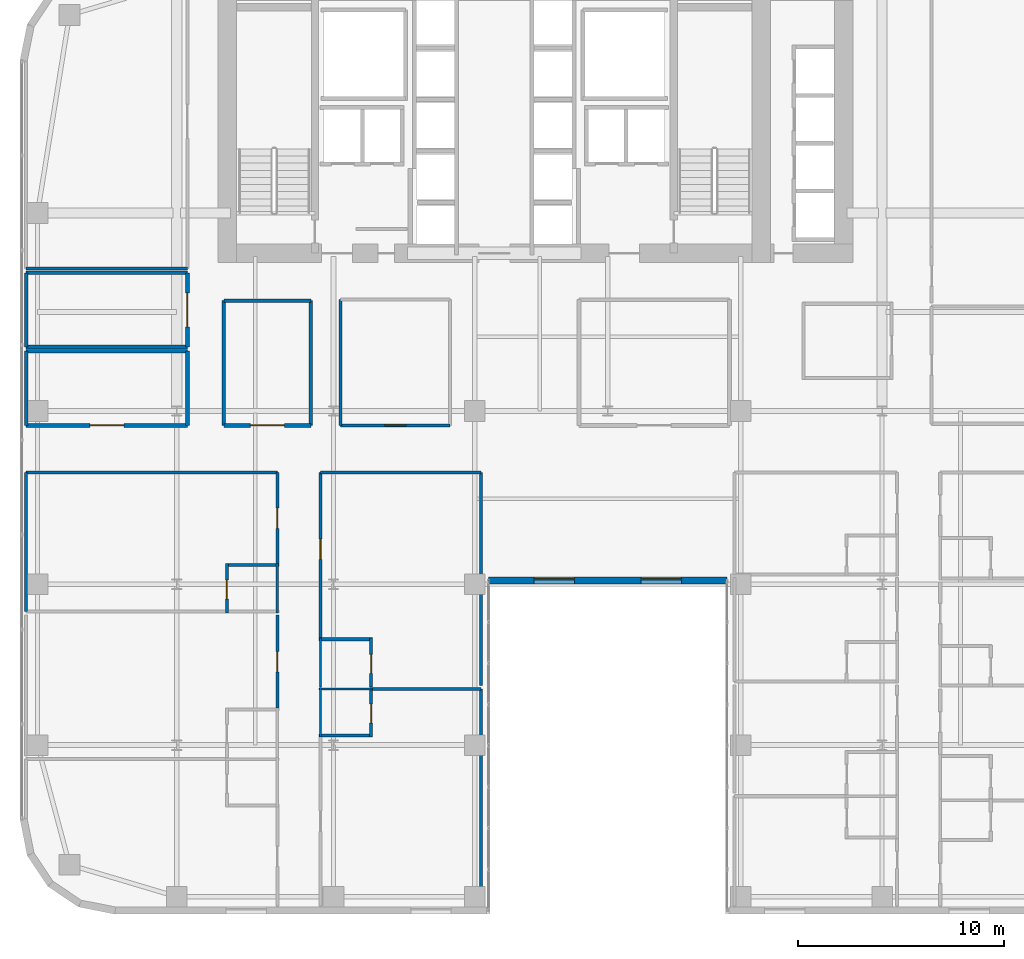
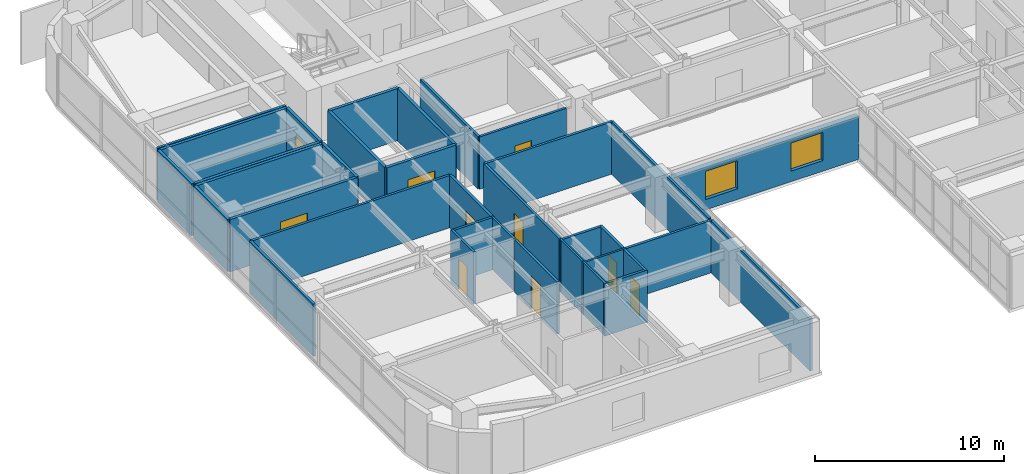
# One storey, part 24 of 30: 35 walls, 10 doors, 2 windows, 12 openings.
"""IFC4 building model written with IfcOpenShell, lengths in metres."""

import ifcopenshell
import ifcopenshell.guid

model = None  # the IFC model being written
_history = None  # IfcOwnerHistory: only IFC2X3 demands one
_inside = {}  # id of a spatial element -> (the spatial element, [elements in it])
_under = {}  # id of a project, library or spatial element -> (it, [spatial elements below it])
_declared = {}  # id of a project -> (the project, [libraries it declares])
_typed = {}  # id of a type object -> (the type object, [elements of that type])
_made_of = {}  # id of a material, layer set ... -> (it, [elements and type objects made of it])


def new_model(schema):
    """Start an empty IFC model of exactly this schema.

    Asked for "IFC4X3", IfcOpenShell would pick the latest addendum, in which some entities
    have other attributes; the version numbers below select the first issue.
    IFC2X3 requires an IfcOwnerHistory on every rooted entity: one is made here for all.
    """
    global model, _history
    if schema == "IFC4X3":
        model = ifcopenshell.file(schema_version=(4, 3, 0, 0))
    else:
        model = ifcopenshell.file(schema=schema)
    _inside.clear()
    _under.clear()
    _declared.clear()
    _typed.clear()
    _made_of.clear()
    _history = None
    if model.schema == "IFC2X3":
        org = make("IfcOrganization", Name="unknown")
        user = make(
            "IfcPersonAndOrganization",
            ThePerson=make("IfcPerson", FamilyName="unknown"),
            TheOrganization=org,
        )
        app = make(
            "IfcApplication",
            ApplicationDeveloper=org,
            Version="unknown",
            ApplicationFullName="unknown",
            ApplicationIdentifier="unknown",
        )
        _history = make(
            "IfcOwnerHistory",
            OwningUser=user,
            OwningApplication=app,
            ChangeAction="ADDED",
            CreationDate=0,
        )
    return model


def make(cls, **values):
    """One entity of the class cls with the attributes given. An attribute that is None is left unset."""
    return model.create_entity(
        cls, **{name: value for name, value in values.items() if value is not None}
    )


def rooted(cls, **values):
    """An entity with a GlobalId (a new one), such as an element, a storey or a relation."""
    return make(cls, GlobalId=ifcopenshell.guid.new(), OwnerHistory=_history, **values)


def si_unit(unit_type, name, prefix=None):
    """IfcSIUnit, for example si_unit("LENGTHUNIT", "METRE", prefix="MILLI")."""
    return make("IfcSIUnit", UnitType=unit_type, Prefix=prefix, Name=name)


def assignment(units):
    """IfcUnitAssignment: the units of a project."""
    return None if units is None else make("IfcUnitAssignment", Units=units)


def point(xyz):
    """IfcCartesianPoint."""
    return None if xyz is None else make("IfcCartesianPoint", Coordinates=xyz)


def direction(xyz):
    """IfcDirection."""
    return None if xyz is None else make("IfcDirection", DirectionRatios=xyz)


def frame(location, z_axis=None, x_axis=None):
    """IfcAxis2Placement3D, a coordinate frame: its origin and axes. An axis left out is left unset."""
    return make(
        "IfcAxis2Placement3D",
        Location=point(location),
        Axis=direction(z_axis),
        RefDirection=direction(x_axis),
    )


def frame_2d(location, x_axis=None):
    """IfcAxis2Placement2D, a coordinate frame in the plane: its origin and x axis."""
    return make(
        "IfcAxis2Placement2D", Location=point(location), RefDirection=direction(x_axis)
    )


def origin():
    """The frame at (0, 0, 0) with its axes left unset."""
    return frame((0.0, 0.0, 0.0))


def place(relative_to, where):
    """IfcLocalPlacement: puts the frame where relative to a parent placement (None: the world)."""
    return make(
        "IfcLocalPlacement", PlacementRelTo=relative_to, RelativePlacement=where
    )


def context(
    kind, dimensions, precision=None, world=None, true_north=None, identifier=None
):
    """IfcGeometricRepresentationContext, for example the 3D "Model" context."""
    return make(
        "IfcGeometricRepresentationContext",
        ContextIdentifier=identifier,
        ContextType=kind,
        CoordinateSpaceDimension=dimensions,
        Precision=precision,
        WorldCoordinateSystem=world,
        TrueNorth=true_north,
    )


def subcontext(parent, identifier, kind, view, scale=None):
    """IfcGeometricRepresentationSubContext, for example "Body" below "Model"."""
    return make(
        "IfcGeometricRepresentationSubContext",
        ContextIdentifier=identifier,
        ContextType=kind,
        ParentContext=parent,
        TargetScale=scale,
        TargetView=view,
    )


def project(units=None, contexts=None):
    """IfcProject with its units and contexts."""
    return rooted(
        "IfcProject",
        Name="project",
        RepresentationContexts=contexts,
        UnitsInContext=assignment(units),
    )


def spatial(cls, under=None, at=None, **own):
    """A site, building, storey or space (cls), placed at a placement, below another one or the project."""
    s = rooted(cls, ObjectPlacement=at, **own)
    if under is not None:
        _under.setdefault(under.id(), (under, []))[1].append(s)
    return s


def profile(cls, at=None, kind="AREA", **sizes):
    """A parametric profile (cls). Its sizes go by their IFC names, for example OverallWidth=200.0."""
    return make(cls, ProfileType=kind, Position=at, **sizes)


def rectangle(**sizes):
    """IfcRectangleProfileDef."""
    return profile("IfcRectangleProfileDef", **sizes)


def extrude(swept, where, along, depth):
    """IfcExtrudedAreaSolid: the profile swept, set in the frame where, extruded along a direction by depth."""
    return make(
        "IfcExtrudedAreaSolid",
        SweptArea=swept,
        Position=where,
        ExtrudedDirection=direction(along),
        Depth=depth,
    )


def shape(context_of_items, identifier, shape_type, items):
    """IfcShapeRepresentation: the items that make up one representation, for example the "Body"."""
    return make(
        "IfcShapeRepresentation",
        ContextOfItems=context_of_items,
        RepresentationIdentifier=identifier,
        RepresentationType=shape_type,
        Items=items,
    )


def source(mapping_origin, context_of_items, identifier, shape_type, items):
    """IfcRepresentationMap: a shape defined once, which mapped items show again and again."""
    return make(
        "IfcRepresentationMap",
        MappingOrigin=mapping_origin,
        MappedRepresentation=shape(context_of_items, identifier, shape_type, items),
    )


def transform(
    local_origin,
    x_axis=None,
    y_axis=None,
    z_axis=None,
    scale=None,
    scale2=None,
    scale3=None,
    uniform=True,
):
    """IfcCartesianTransformationOperator3D, or its non-uniform kind. x_axis, y_axis, z_axis: its Axis1, 2, 3."""
    if uniform:
        return make(
            "IfcCartesianTransformationOperator3D",
            Axis1=direction(x_axis),
            Axis2=direction(y_axis),
            LocalOrigin=point(local_origin),
            Scale=scale,
            Axis3=direction(z_axis),
        )
    return make(
        "IfcCartesianTransformationOperator3DnonUniform",
        Axis1=direction(x_axis),
        Axis2=direction(y_axis),
        LocalOrigin=point(local_origin),
        Scale=scale,
        Axis3=direction(z_axis),
        Scale2=scale2,
        Scale3=scale3,
    )


def mapped(mapping_source, mapping_target):
    """IfcMappedItem: shows the shape of a source again, moved by a transform."""
    return make(
        "IfcMappedItem", MappingSource=mapping_source, MappingTarget=mapping_target
    )


def material(Name=None, Category=None):
    """IfcMaterial."""
    return make("IfcMaterial", Name=Name, Category=Category)


def layer(
    of_material, thickness, ventilated=None, Name=None, Category=None, Priority=None
):
    """IfcMaterialLayer: one layer of a wall or slab, of a material (None: an air gap)."""
    return make(
        "IfcMaterialLayer",
        Material=of_material,
        LayerThickness=thickness,
        IsVentilated=ventilated,
        Name=Name,
        Category=Category,
        Priority=Priority,
    )


def layer_set(layers, Name=None):
    """IfcMaterialLayerSet."""
    return make("IfcMaterialLayerSet", MaterialLayers=layers, LayerSetName=Name)


def made_of(thing, what):
    """Note that an element or type object is made of a material, layer set ...; save() writes the relation."""
    if what is not None:
        _made_of.setdefault(what.id(), (what, []))[1].append(thing)
    return thing


def type_object(cls, material=None, **own):
    """A type object (cls), such as IfcWallType, which elements share."""
    return made_of(rooted(cls, **own), material)


def type_shapes(of_type, sources):
    """Give a type object the sources (RepresentationMaps) that its elements show as mapped items."""
    of_type.RepresentationMaps = sources


def element(
    cls,
    number,
    at=None,
    inside=None,
    cuts=None,
    type_object=None,
    material=None,
    context=None,
    identifier="Body",
    shape_type=None,
    held_by="IfcProductDefinitionShape",
    body=None,
    shapes=None,
    **own,
):
    """One element of the class cls, such as IfcWall. Its Tag is "e" and its number.

    at: its placement. inside: the storey or other place that contains it. cuts: it is an
    opening in that element (IfcRelVoidsElement). A single representation is given by context,
    identifier, shape_type and body (its items); several are given by shapes. held_by: the class
    of the entity that holds the representations. save() writes the other relations.
    """
    e = rooted(cls, Tag="e%d" % number, ObjectPlacement=at, **own)
    if body is not None:
        shapes = [shape(context, identifier, shape_type, body)]
    if shapes is not None:
        e.Representation = make(held_by, Representations=shapes)
    if inside is not None:
        _inside.setdefault(inside.id(), (inside, []))[1].append(e)
    if cuts is not None:
        rooted(
            "IfcRelVoidsElement", RelatingBuildingElement=cuts, RelatedOpeningElement=e
        )
    if type_object is not None:
        _typed.setdefault(type_object.id(), (type_object, []))[1].append(e)
    return made_of(e, material)


def fill(opening, filler):
    """IfcRelFillsElement: the door or window that sits in an opening."""
    return rooted(
        "IfcRelFillsElement",
        RelatingOpeningElement=opening,
        RelatedBuildingElement=filler,
    )


def aggregate(whole, parts):
    """IfcRelAggregates: a whole, such as a stair, and the parts it consists of."""
    return rooted("IfcRelAggregates", RelatingObject=whole, RelatedObjects=parts)


def save(model, path):
    """Write the relations noted so far, then the file.

    IfcRelAggregates (storeys below a building ...), IfcRelContainedInSpatialStructure (elements
    in a storey), IfcRelDefinesByType, IfcRelAssociatesMaterial and IfcRelDeclares: one each for
    every whole, place, type object, material and project.
    """
    for whole, parts in _under.values():
        aggregate(whole, parts)
    for where, things in _inside.values():
        rooted(
            "IfcRelContainedInSpatialStructure",
            RelatedElements=things,
            RelatingStructure=where,
        )
    for kind, things in _typed.values():
        rooted("IfcRelDefinesByType", RelatedObjects=things, RelatingType=kind)
    for what, things in _made_of.values():
        rooted("IfcRelAssociatesMaterial", RelatedObjects=things, RelatingMaterial=what)
    for by, libraries in _declared.values():
        rooted("IfcRelDeclares", RelatingContext=by, RelatedDefinitions=libraries)
    model.write(path)


model = new_model("IFC4")

# Units and contexts
model_context = context("Model", 3, precision=1e-05, world=origin(), true_north=direction((0.0, 1.0)))
body_context = subcontext(model_context, "Body", "Model", "MODEL_VIEW")
ifc_project = project(units=[si_unit("LENGTHUNIT", "METRE"), si_unit("AREAUNIT", "SQUARE_METRE"), si_unit("VOLUMEUNIT", "CUBIC_METRE"), si_unit("PLANEANGLEUNIT", "RADIAN"), si_unit("MASSUNIT", "GRAM", prefix="KILO")], contexts=[model_context])

# Site, building, storey
site_placement = place(None, origin())
site = spatial("IfcSite", under=ifc_project, at=site_placement, CompositionType="ELEMENT")
building_placement = place(site_placement, origin())
building = spatial("IfcBuilding", under=site, at=building_placement, Name="Tolvann Quenvar Hotel", CompositionType="ELEMENT")
storey_placement = place(building_placement, frame((0.0, 0.0, 56.85009765625)))
storey = spatial("IfcBuildingStorey", under=building, at=storey_placement, Name="L13", CompositionType="ELEMENT", Elevation=56.85009765625)

# Wall, openings, windows
ifc_material_1 = material(Name="Kiln-fired red and buff architectural clay brickwork and terracotta masonry", Category="masonry")
ifc_layer_1 = layer(ifc_material_1, 0.35009765625)
ifc_layer_set_1 = layer_set([ifc_layer_1], Name="Kiln-fired red and buff architectural clay brickwork and terracotta masonry")
wall_type_1 = type_object("IfcWallType", Name="WALL_EXT_BRICK_350", PredefinedType="SOLIDWALL", material=ifc_layer_set_1)
wall_1_placement = place(storey_placement, frame((22.7099609375, 16.175048828125, 0.0), z_axis=(0.0, 0.0, 1.0), x_axis=(1.0, 0.0, 0.0)))
wall_1 = element("IfcWall", 1, at=wall_1_placement, inside=storey, type_object=wall_type_1, Name="Exterior Chicago Brick Wall L13-E06", PredefinedType="SOLIDWALL", context=body_context, shape_type="SweptSolid", body=[
    extrude(rectangle(XDim=11.580078125, YDim=0.35009765625, at=frame_2d((5.7900390625, 0.0))), origin(), (0.0, 0.0, 1.0), 2.747802734375),
])
opening_1_placement = place(wall_1_placement, frame((2.219970703125, 0.0, 0.679931640625)))
opening_1 = element("IfcOpeningElement", 2, at=opening_1_placement, cuts=wall_1, Name="Opening W-10", PredefinedType="OPENING", context=body_context, shape_type="SweptSolid", body=[
    extrude(rectangle(XDim=1.949951171875, YDim=1.820068359375, at=frame_2d((0.97509765625, 0.91015625))), frame((0.0, 0.18505859375, 0.0), z_axis=(0.0, -1.0, 0.0), x_axis=(1.0, 0.0, 0.0)), (0.0, 0.0, 1.0), 0.3701171875),
])
opening_2_placement = place(wall_1_placement, frame((7.409912109375, 0.0, 0.679931640625)))
opening_2 = element("IfcOpeningElement", 3, at=opening_2_placement, cuts=wall_1, Name="Opening W-10", PredefinedType="OPENING", context=body_context, shape_type="SweptSolid", body=[
    extrude(rectangle(XDim=1.949951171875, YDim=1.820068359375, at=frame_2d((0.97509765625, 0.91015625))), frame((0.0, 0.18505859375, 0.0), z_axis=(0.0, -1.0, 0.0), x_axis=(1.0, 0.0, 0.0)), (0.0, 0.0, 1.0), 0.3701171875),
])
ifc_material_2 = material(Name="Thermally broken bronze-anodised aluminium frame with double low-E glazing", Category="aluminium")
window_type = type_object("IfcWindowType", Name="WIN_CLB_1950x1850", PartitioningType="DOUBLE_PANEL_VERTICAL", PredefinedType="WINDOW", material=ifc_material_2)
shared_shape_1 = source(origin(), body_context, "Body", "SweptSolid", [
    extrude(rectangle(XDim=1.949951171875, YDim=1.820068359375, at=frame_2d((0.97509765625, 0.91015625))), frame((0.0, 0.090087890625, 0.0), z_axis=(0.0, -1.0, 0.0), x_axis=(1.0, 0.0, 0.0)), (0.0, 0.0, 1.0), 0.06005859375),
])
type_shapes(window_type, [shared_shape_1])
window_1_placement = place(opening_1_placement, origin())
window_1 = element("IfcWindow", 4, at=window_1_placement, inside=storey, type_object=window_type, Name="Chicago Window W-10 (EW-L13-E06-W01)", OverallHeight=1.820068359375, OverallWidth=1.949951171875, PartitioningType="DOUBLE_PANEL_VERTICAL", PredefinedType="WINDOW", context=body_context, shape_type="MappedRepresentation", body=[
    mapped(shared_shape_1, transform((0.0, 0.0, 0.0), x_axis=(1.0, 0.0, 0.0), y_axis=(0.0, 1.0, 0.0), z_axis=(0.0, 0.0, 1.0), scale=1.0)),
])
fill(opening_1, window_1)
window_2_placement = place(opening_2_placement, origin())
window_2 = element("IfcWindow", 5, at=window_2_placement, inside=storey, type_object=window_type, Name="Chicago Window W-10 (EW-L13-E06-W02)", OverallHeight=1.820068359375, OverallWidth=1.949951171875, PartitioningType="DOUBLE_PANEL_VERTICAL", PredefinedType="WINDOW", context=body_context, shape_type="MappedRepresentation", body=[
    mapped(shared_shape_1, transform((0.0, 0.0, 0.0), x_axis=(1.0, 0.0, 0.0), y_axis=(0.0, 1.0, 0.0), z_axis=(0.0, 0.0, 1.0), scale=1.0)),
])
fill(opening_2, window_2)

# Wall, opening, door
ifc_material_3 = material(Name="Acoustic twin-stud fire-rated gypsum plasterboard partition")
ifc_layer_2 = layer(ifc_material_3, 0.179931640625)
ifc_layer_set_2 = layer_set([ifc_layer_2], Name="Acoustic twin-stud fire-rated gypsum plasterboard partition")
wall_type_2 = type_object("IfcWallType", Name="WALL_PART_ACOUSTIC_180", PredefinedType="PARTITIONING", material=ifc_layer_set_2)
wall_2_placement = place(storey_placement, frame((0.300048828125, 23.699951171875, 0.0), z_axis=(0.0, 0.0, 1.0), x_axis=(1.0, 0.0, 0.0)))
wall_2 = element("IfcWall", 6, at=wall_2_placement, inside=storey, type_object=wall_type_2, Name="Interior Partition PT-SPC-L13-SAL-S", PredefinedType="PARTITIONING", context=body_context, shape_type="SweptSolid", body=[
    extrude(rectangle(XDim=7.820068359375, YDim=0.179931640625, at=frame_2d((3.91015625, 0.0))), origin(), (0.0, 0.0, 1.0), 3.369873046875),
])
opening_3_placement = place(wall_2_placement, frame((3.0849609375, 0.0, 0.0)))
opening_3 = element("IfcOpeningElement", 7, at=opening_3_placement, cuts=wall_2, Name="Opening AD-01", PredefinedType="OPENING", context=body_context, shape_type="SweptSolid", body=[
    extrude(rectangle(XDim=1.64990234375, YDim=2.14990234375, at=frame_2d((0.824951171875, 1.074951171875))), frame((0.0, 0.10009765625, 0.0), z_axis=(0.0, -1.0, 0.0), x_axis=(1.0, 0.0, 0.0)), (0.0, 0.0, 1.0), 0.199951171875),
])
ifc_material_4 = material(Name="Solid-core American oak acoustic fire door leaf in steel frame", Category="steel")
door_type_1 = type_object("IfcDoorType", Name="DOOR_SALON_1650", OperationType="NOTDEFINED", PredefinedType="DOOR", material=ifc_material_4)
shared_shape_2 = source(origin(), body_context, "Body", "SweptSolid", [
    extrude(rectangle(XDim=1.64990234375, YDim=2.14990234375, at=frame_2d((0.824951171875, 1.074951171875))), frame((0.0, 0.02490234375, 0.0), z_axis=(0.0, -1.0, 0.0), x_axis=(1.0, 0.0, 0.0)), (0.0, 0.0, 1.0), 0.050048828125),
])
type_shapes(door_type_1, [shared_shape_2])
door_1_placement = place(opening_3_placement, origin())
door_1 = element("IfcDoor", 8, at=door_1_placement, inside=storey, type_object=door_type_1, Name="Interior Door DOOR-SPC-L13-SAL", OperationType="DOUBLE_DOOR_SINGLE_SWING", OverallHeight=2.14990234375, OverallWidth=1.64990234375, PredefinedType="DOOR", context=body_context, shape_type="MappedRepresentation", body=[
    mapped(shared_shape_2, transform((0.0, 0.0, 0.0), x_axis=(1.0, 0.0, 0.0), y_axis=(0.0, 1.0, 0.0), z_axis=(0.0, 0.0, 1.0), scale=1.0)),
])
fill(opening_3, door_1)

# Walls
wall_3_placement = place(storey_placement, frame((0.300048828125, 27.300048828125, 0.0), z_axis=(0.0, 0.0, 1.0), x_axis=(1.0, 0.0, 0.0)))
element("IfcWall", 9, at=wall_3_placement, inside=storey, type_object=wall_type_2, Name="Interior Partition PT-SPC-L13-SAL-N", PredefinedType="PARTITIONING", context=body_context, shape_type="SweptSolid", body=[
    extrude(rectangle(XDim=7.820068359375, YDim=0.179931640625, at=frame_2d((3.91015625, 0.0))), origin(), (0.0, 0.0, 1.0), 3.369873046875),
])
for number, where, z_axis, x_axis, name in (
    (10, (0.300048828125, 23.699951171875, 0.0), (0.0, 0.0, 1.0), (0.0, 1.0, 0.0), "Interior Partition PT-SPC-L13-SAL-W"),
    (11, (8.1201171875, 23.699951171875, 0.0), (0.0, 0.0, 1.0), (0.0, 1.0, 0.0), "Interior Partition PT-SPC-L13-SAL-E"),
):
    element("IfcWall", number, at=place(storey_placement, frame(where, z_axis=z_axis, x_axis=x_axis)), inside=storey, type_object=wall_type_2, Name=name, PredefinedType="PARTITIONING", context=body_context, shape_type="SweptSolid", body=[
        extrude(rectangle(XDim=3.60009765625, YDim=0.179931640625, at=frame_2d((1.800048828125, 0.0))), origin(), (0.0, 0.0, 1.0), 3.369873046875),
    ])
for number, where, z_axis, x_axis, name in (
    (12, (0.300048828125, 27.5, 0.0), (0.0, 0.0, 1.0), (1.0, 0.0, 0.0), "Interior Partition PT-SPC-L13-MTG-S"),
    (13, (0.300048828125, 31.10009765625, 0.0), (0.0, 0.0, 1.0), (1.0, 0.0, 0.0), "Interior Partition PT-SPC-L13-MTG-N"),
):
    element("IfcWall", number, at=place(storey_placement, frame(where, z_axis=z_axis, x_axis=x_axis)), inside=storey, type_object=wall_type_2, Name=name, PredefinedType="PARTITIONING", context=body_context, shape_type="SweptSolid", body=[
        extrude(rectangle(XDim=7.820068359375, YDim=0.179931640625, at=frame_2d((3.91015625, 0.0))), origin(), (0.0, 0.0, 1.0), 3.369873046875),
    ])
wall_4_placement = place(storey_placement, frame((0.300048828125, 27.5, 0.0), z_axis=(0.0, 0.0, 1.0), x_axis=(0.0, 1.0, 0.0)))
element("IfcWall", 14, at=wall_4_placement, inside=storey, type_object=wall_type_2, Name="Interior Partition PT-SPC-L13-MTG-W", PredefinedType="PARTITIONING", context=body_context, shape_type="SweptSolid", body=[
    extrude(rectangle(XDim=3.60009765625, YDim=0.179931640625, at=frame_2d((1.800048828125, 0.0))), origin(), (0.0, 0.0, 1.0), 3.369873046875),
])

# Wall, opening, door
wall_5_placement = place(storey_placement, frame((8.1201171875, 27.5, 0.0), z_axis=(0.0, 0.0, 1.0), x_axis=(0.0, 1.0, 0.0)))
wall_5 = element("IfcWall", 15, at=wall_5_placement, inside=storey, type_object=wall_type_2, Name="Interior Partition PT-SPC-L13-MTG-E", PredefinedType="PARTITIONING", context=body_context, shape_type="SweptSolid", body=[
    extrude(rectangle(XDim=3.60009765625, YDim=0.179931640625, at=frame_2d((1.800048828125, 0.0))), origin(), (0.0, 0.0, 1.0), 3.369873046875),
])
opening_4_placement = place(wall_5_placement, frame((0.97509765625, 0.0, 0.0)))
opening_4 = element("IfcOpeningElement", 16, at=opening_4_placement, cuts=wall_5, Name="Opening AD-01", PredefinedType="OPENING", context=body_context, shape_type="SweptSolid", body=[
    extrude(rectangle(XDim=1.64990234375, YDim=2.14990234375, at=frame_2d((0.824951171875, 1.074951171875))), frame((0.0, 0.10009765625, 0.0), z_axis=(0.0, -1.0, 0.0), x_axis=(1.0, 0.0, 0.0)), (0.0, 0.0, 1.0), 0.199951171875),
])
door_2_placement = place(opening_4_placement, origin())
door_2 = element("IfcDoor", 17, at=door_2_placement, inside=storey, type_object=door_type_1, Name="Interior Door DOOR-SPC-L13-MTG", OperationType="DOUBLE_DOOR_SINGLE_SWING", OverallHeight=2.14990234375, OverallWidth=1.64990234375, PredefinedType="DOOR", context=body_context, shape_type="MappedRepresentation", body=[
    mapped(shared_shape_2, transform((0.0, 0.0, 0.0), x_axis=(1.0, 0.0, 0.0), y_axis=(0.0, 1.0, 0.0), z_axis=(0.0, 0.0, 1.0), scale=1.0)),
])
fill(opening_4, door_2)

wall_6_placement = place(storey_placement, frame((9.8798828125, 23.699951171875, 0.0), z_axis=(0.0, 0.0, 1.0), x_axis=(1.0, 0.0, 0.0)))
wall_6 = element("IfcWall", 18, at=wall_6_placement, inside=storey, type_object=wall_type_2, Name="Interior Partition PT-SPC-L13-MSP-W-S", PredefinedType="PARTITIONING", context=body_context, shape_type="SweptSolid", body=[
    extrude(rectangle(XDim=4.22021484375, YDim=0.179931640625, at=frame_2d((2.110107421875, 0.0))), origin(), (0.0, 0.0, 1.0), 3.369873046875),
])
opening_5_placement = place(wall_6_placement, frame((1.284912109375, 0.0, 0.0)))
opening_5 = element("IfcOpeningElement", 19, at=opening_5_placement, cuts=wall_6, Name="Opening AD-01", PredefinedType="OPENING", context=body_context, shape_type="SweptSolid", body=[
    extrude(rectangle(XDim=1.64990234375, YDim=2.14990234375, at=frame_2d((0.824951171875, 1.074951171875))), frame((0.0, 0.10009765625, 0.0), z_axis=(0.0, -1.0, 0.0), x_axis=(1.0, 0.0, 0.0)), (0.0, 0.0, 1.0), 0.199951171875),
])
door_3_placement = place(opening_5_placement, origin())
door_3 = element("IfcDoor", 20, at=door_3_placement, inside=storey, type_object=door_type_1, Name="Interior Door DOOR-SPC-L13-MSP-W", OperationType="DOUBLE_DOOR_SINGLE_SWING", OverallHeight=2.14990234375, OverallWidth=1.64990234375, PredefinedType="DOOR", context=body_context, shape_type="MappedRepresentation", body=[
    mapped(shared_shape_2, transform((0.0, 0.0, 0.0), x_axis=(1.0, 0.0, 0.0), y_axis=(0.0, 1.0, 0.0), z_axis=(0.0, 0.0, 1.0), scale=1.0)),
])
fill(opening_5, door_3)

# Walls
wall_7_placement = place(storey_placement, frame((9.8798828125, 29.75, 0.0), z_axis=(0.0, 0.0, 1.0), x_axis=(1.0, 0.0, 0.0)))
element("IfcWall", 21, at=wall_7_placement, inside=storey, type_object=wall_type_2, Name="Interior Partition PT-SPC-L13-MSP-W-N", PredefinedType="PARTITIONING", context=body_context, shape_type="SweptSolid", body=[
    extrude(rectangle(XDim=4.22021484375, YDim=0.179931640625, at=frame_2d((2.110107421875, 0.0))), origin(), (0.0, 0.0, 1.0), 3.369873046875),
])
for number, where, z_axis, x_axis, name in (
    (22, (9.8798828125, 23.699951171875, 0.0), (0.0, 0.0, 1.0), (0.0, 1.0, 0.0), "Interior Partition PT-SPC-L13-MSP-W-W"),
    (23, (14.10009765625, 23.699951171875, 0.0), (0.0, 0.0, 1.0), (0.0, 1.0, 0.0), "Interior Partition PT-SPC-L13-MSP-W-E"),
):
    element("IfcWall", number, at=place(storey_placement, frame(where, z_axis=z_axis, x_axis=x_axis)), inside=storey, type_object=wall_type_2, Name=name, PredefinedType="PARTITIONING", context=body_context, shape_type="SweptSolid", body=[
        extrude(rectangle(XDim=6.050048828125, YDim=0.179931640625, at=frame_2d((3.02490234375, 0.0))), origin(), (0.0, 0.0, 1.0), 3.369873046875),
    ])
ifc_material_5 = material(Name="Moisture-resistant acoustic plumbing wall assembly")
ifc_layer_3 = layer(ifc_material_5, 0.1201171875)
ifc_layer_set_3 = layer_set([ifc_layer_3], Name="Moisture-resistant acoustic plumbing wall assembly")
wall_type_3 = type_object("IfcWallType", Name="WALL_PART_BATH_120", PredefinedType="PLUMBINGWALL", material=ifc_layer_set_3)
wall_8_placement = place(storey_placement, frame((12.47998046875, 14.610107421875, 0.0), z_axis=(0.0, 0.0, 1.0), x_axis=(0.0, 1.0, 0.0)))
element("IfcWall", 24, at=wall_8_placement, inside=storey, type_object=wall_type_3, Name="Non-Rated Plumbing Partition PT-SPC-L13-ENS-WO03-E", PredefinedType="PLUMBINGWALL", context=body_context, shape_type="SweptSolid", body=[
    extrude(rectangle(XDim=2.389892578125, YDim=0.1201171875, at=frame_2d((1.19482421875, 0.0))), origin(), (0.0, 0.0, 1.0), 3.369873046875),
])
wall_9_placement = place(storey_placement, frame((14.5, 10.919921875, 0.0), z_axis=(0.0, 0.0, 1.0), x_axis=(1.0, 0.0, 0.0)))
element("IfcWall", 25, at=wall_9_placement, inside=storey, type_object=wall_type_3, Name="Non-Rated Plumbing Partition PT-SPC-L13-ENS-WI01-N", PredefinedType="PLUMBINGWALL", context=body_context, shape_type="SweptSolid", body=[
    extrude(rectangle(XDim=2.590087890625, YDim=0.1201171875, at=frame_2d((1.294921875, 0.0))), origin(), (0.0, 0.0, 1.0), 3.369873046875),
])
for number, where, z_axis, x_axis, name in (
    (26, (14.570068359375, 8.60009765625, 0.0), (0.0, 0.0, 1.0), (0.0, 1.0, 0.0), "Non-Rated Plumbing Partition PT-SPC-L13-ENS-WI01-W"),
    (27, (14.570068359375, 11.010009765625, 0.0), (0.0, 0.0, 1.0), (0.0, 1.0, 0.0), "Non-Rated Plumbing Partition PT-SPC-L13-ENS-WI02-W"),
):
    element("IfcWall", number, at=place(storey_placement, frame(where, z_axis=z_axis, x_axis=x_axis)), inside=storey, type_object=wall_type_3, Name=name, PredefinedType="PLUMBINGWALL", context=body_context, shape_type="SweptSolid", body=[
        extrude(rectangle(XDim=2.389892578125, YDim=0.1201171875, at=frame_2d((1.19482421875, 0.0))), origin(), (0.0, 0.0, 1.0), 3.369873046875),
    ])

# Wall, opening, door
ifc_layer_4 = layer(ifc_material_3, 0.14990234375)
ifc_layer_set_4 = layer_set([ifc_layer_4], Name="Acoustic twin-stud fire-rated gypsum plasterboard partition")
wall_type_4 = type_object("IfcWallType", Name="WALL_PART_SUITE_150", PredefinedType="PARTITIONING", material=ifc_layer_set_4)
wall_10_placement = place(storey_placement, frame((10.030029296875, 14.610107421875, 0.0), z_axis=(0.0, 0.0, 1.0), x_axis=(0.0, 1.0, 0.0)))
wall_10 = element("IfcWall", 28, at=wall_10_placement, inside=storey, type_object=wall_type_4, Name="Interior Partition PT-SPC-L13-ENS-WO03-ENT", PredefinedType="PARTITIONING", context=body_context, shape_type="SweptSolid", body=[
    extrude(rectangle(XDim=2.389892578125, YDim=0.14990234375, at=frame_2d((1.19482421875, 0.0))), origin(), (0.0, 0.0, 1.0), 3.369873046875),
])
opening_6_placement = place(wall_10_placement, frame((0.6650390625, 0.0, 0.0)))
opening_6 = element("IfcOpeningElement", 29, at=opening_6_placement, cuts=wall_10, Name="Opening WD-01", PredefinedType="OPENING", context=body_context, shape_type="SweptSolid", body=[
    extrude(rectangle(XDim=0.919921875, YDim=2.010009765625, at=frame_2d((0.4599609375, 1.0048828125))), frame((0.0, 0.0849609375, 0.0), z_axis=(0.0, -1.0, 0.0), x_axis=(1.0, 0.0, 0.0)), (0.0, 0.0, 1.0), 0.169921875),
])
door_type_2 = type_object("IfcDoorType", Name="DOOR_WC_920", OperationType="NOTDEFINED", PredefinedType="DOOR", material=ifc_material_4)
shared_shape_3 = source(origin(), body_context, "Body", "SweptSolid", [
    extrude(rectangle(XDim=0.919921875, YDim=2.010009765625, at=frame_2d((0.4599609375, 1.0048828125))), frame((0.0, 0.02490234375, 0.0), z_axis=(0.0, -1.0, 0.0), x_axis=(1.0, 0.0, 0.0)), (0.0, 0.0, 1.0), 0.050048828125),
])
type_shapes(door_type_2, [shared_shape_3])
door_4_placement = place(opening_6_placement, origin())
door_4 = element("IfcDoor", 30, at=door_4_placement, inside=storey, type_object=door_type_2, Name="Interior Door DOOR-SPC-L13-ENS-WO03", OperationType="SINGLE_SWING_RIGHT", OverallHeight=2.010009765625, OverallWidth=0.919921875, PredefinedType="DOOR", context=body_context, shape_type="MappedRepresentation", body=[
    mapped(shared_shape_3, transform((0.0, 0.0, 0.0), x_axis=(1.0, 0.0, 0.0), y_axis=(0.0, 1.0, 0.0), z_axis=(0.0, 0.0, 1.0), scale=1.0)),
])
fill(opening_6, door_4)

# Wall
wall_11_placement = place(storey_placement, frame((9.9599609375, 16.929931640625, 0.0), z_axis=(0.0, 0.0, 1.0), x_axis=(1.0, 0.0, 0.0)))
element("IfcWall", 31, at=wall_11_placement, inside=storey, type_object=wall_type_4, Name="Interior Partition PT-SPC-L13-ENS-WO03-N", PredefinedType="PARTITIONING", context=body_context, shape_type="SweptSolid", body=[
    extrude(rectangle(XDim=2.590087890625, YDim=0.14990234375, at=frame_2d((1.294921875, 0.0))), origin(), (0.0, 0.0, 1.0), 3.369873046875),
])

# Wall, opening, door
wall_12_placement = place(storey_placement, frame((17.02001953125, 8.60009765625, 0.0), z_axis=(0.0, 0.0, 1.0), x_axis=(0.0, 1.0, 0.0)))
wall_12 = element("IfcWall", 32, at=wall_12_placement, inside=storey, type_object=wall_type_4, Name="Interior Partition PT-SPC-L13-ENS-WI01-ENT", PredefinedType="PARTITIONING", context=body_context, shape_type="SweptSolid", body=[
    extrude(rectangle(XDim=2.389892578125, YDim=0.14990234375, at=frame_2d((1.19482421875, 0.0))), origin(), (0.0, 0.0, 1.0), 3.369873046875),
])
opening_7_placement = place(wall_12_placement, frame((0.6650390625, 0.0, 0.0)))
opening_7 = element("IfcOpeningElement", 33, at=opening_7_placement, cuts=wall_12, Name="Opening WD-01", PredefinedType="OPENING", context=body_context, shape_type="SweptSolid", body=[
    extrude(rectangle(XDim=0.919921875, YDim=2.010009765625, at=frame_2d((0.4599609375, 1.0048828125))), frame((0.0, 0.0849609375, 0.0), z_axis=(0.0, -1.0, 0.0), x_axis=(1.0, 0.0, 0.0)), (0.0, 0.0, 1.0), 0.169921875),
])
door_5_placement = place(opening_7_placement, origin())
door_5 = element("IfcDoor", 34, at=door_5_placement, inside=storey, type_object=door_type_2, Name="Interior Door DOOR-SPC-L13-ENS-WI01", OperationType="SINGLE_SWING_LEFT", OverallHeight=2.010009765625, OverallWidth=0.919921875, PredefinedType="DOOR", context=body_context, shape_type="MappedRepresentation", body=[
    mapped(shared_shape_3, transform((0.0, 0.0, 0.0), x_axis=(1.0, 0.0, 0.0), y_axis=(0.0, 1.0, 0.0), z_axis=(0.0, 0.0, 1.0), scale=1.0)),
])
fill(opening_7, door_5)

# Wall
wall_13_placement = place(storey_placement, frame((14.5, 8.669921875, 0.0), z_axis=(0.0, 0.0, 1.0), x_axis=(1.0, 0.0, 0.0)))
element("IfcWall", 35, at=wall_13_placement, inside=storey, type_object=wall_type_4, Name="Interior Partition PT-SPC-L13-ENS-WI01-S", PredefinedType="PARTITIONING", context=body_context, shape_type="SweptSolid", body=[
    extrude(rectangle(XDim=2.590087890625, YDim=0.14990234375, at=frame_2d((1.294921875, 0.0))), origin(), (0.0, 0.0, 1.0), 3.369873046875),
])

# Wall, opening, door
wall_14_placement = place(storey_placement, frame((17.02001953125, 11.010009765625, 0.0), z_axis=(0.0, 0.0, 1.0), x_axis=(0.0, 1.0, 0.0)))
wall_14 = element("IfcWall", 36, at=wall_14_placement, inside=storey, type_object=wall_type_4, Name="Interior Partition PT-SPC-L13-ENS-WI02-ENT", PredefinedType="PARTITIONING", context=body_context, shape_type="SweptSolid", body=[
    extrude(rectangle(XDim=2.389892578125, YDim=0.14990234375, at=frame_2d((1.19482421875, 0.0))), origin(), (0.0, 0.0, 1.0), 3.369873046875),
])
opening_8_placement = place(wall_14_placement, frame((0.6650390625, 0.0, 0.0)))
opening_8 = element("IfcOpeningElement", 37, at=opening_8_placement, cuts=wall_14, Name="Opening WD-01", PredefinedType="OPENING", context=body_context, shape_type="SweptSolid", body=[
    extrude(rectangle(XDim=0.919921875, YDim=2.010009765625, at=frame_2d((0.4599609375, 1.0048828125))), frame((0.0, 0.0849609375, 0.0), z_axis=(0.0, -1.0, 0.0), x_axis=(1.0, 0.0, 0.0)), (0.0, 0.0, 1.0), 0.169921875),
])
door_6_placement = place(opening_8_placement, origin())
door_6 = element("IfcDoor", 38, at=door_6_placement, inside=storey, type_object=door_type_2, Name="Interior Door DOOR-SPC-L13-ENS-WI02", OperationType="SINGLE_SWING_RIGHT", OverallHeight=2.010009765625, OverallWidth=0.919921875, PredefinedType="DOOR", context=body_context, shape_type="MappedRepresentation", body=[
    mapped(shared_shape_3, transform((0.0, 0.0, 0.0), x_axis=(1.0, 0.0, 0.0), y_axis=(0.0, 1.0, 0.0), z_axis=(0.0, 0.0, 1.0), scale=1.0)),
])
fill(opening_8, door_6)

# Wall
wall_15_placement = place(storey_placement, frame((14.5, 13.330078125, 0.0), z_axis=(0.0, 0.0, 1.0), x_axis=(1.0, 0.0, 0.0)))
element("IfcWall", 39, at=wall_15_placement, inside=storey, type_object=wall_type_4, Name="Interior Partition PT-SPC-L13-ENS-WI02-N", PredefinedType="PARTITIONING", context=body_context, shape_type="SweptSolid", body=[
    extrude(rectangle(XDim=2.590087890625, YDim=0.14990234375, at=frame_2d((1.294921875, 0.0))), origin(), (0.0, 0.0, 1.0), 3.369873046875),
])

# Wall, opening, door
wall_16_placement = place(storey_placement, frame((12.47998046875, 10.010009765625, 0.0), z_axis=(0.0, 0.0, 1.0), x_axis=(0.0, 1.0, 0.0)))
wall_16 = element("IfcWall", 40, at=wall_16_placement, inside=storey, type_object=wall_type_4, Name="Interior Partition PT-SPC-L13-RM-WO02-ENT", PredefinedType="PARTITIONING", context=body_context, shape_type="SweptSolid", body=[
    extrude(rectangle(XDim=4.510009765625, YDim=0.14990234375, at=frame_2d((2.2548828125, 0.0))), origin(), (0.0, 0.0, 1.0), 3.369873046875),
])
opening_9_placement = place(wall_16_placement, frame((1.7451171875, 0.0, 0.0)))
opening_9 = element("IfcOpeningElement", 41, at=opening_9_placement, cuts=wall_16, Name="Opening SD-01", PredefinedType="OPENING", context=body_context, shape_type="SweptSolid", body=[
    extrude(rectangle(XDim=0.97998046875, YDim=2.1201171875, at=frame_2d((0.489990234375, 1.06005859375))), frame((0.0, 0.0849609375, 0.0), z_axis=(0.0, -1.0, 0.0), x_axis=(1.0, 0.0, 0.0)), (0.0, 0.0, 1.0), 0.169921875),
])
door_type_3 = type_object("IfcDoorType", Name="DOOR_SUITE_980", OperationType="NOTDEFINED", PredefinedType="DOOR", material=ifc_material_4)
shared_shape_4 = source(origin(), body_context, "Body", "SweptSolid", [
    extrude(rectangle(XDim=0.97998046875, YDim=2.1201171875, at=frame_2d((0.489990234375, 1.06005859375))), frame((0.0, 0.02490234375, 0.0), z_axis=(0.0, -1.0, 0.0), x_axis=(1.0, 0.0, 0.0)), (0.0, 0.0, 1.0), 0.050048828125),
])
type_shapes(door_type_3, [shared_shape_4])
door_7_placement = place(opening_9_placement, origin())
door_7 = element("IfcDoor", 42, at=door_7_placement, inside=storey, type_object=door_type_3, Name="Interior Door DOOR-SPC-L13-RM-WO02", OperationType="SINGLE_SWING_RIGHT", OverallHeight=2.1201171875, OverallWidth=0.97998046875, PredefinedType="DOOR", context=body_context, shape_type="MappedRepresentation", body=[
    mapped(shared_shape_4, transform((0.0, 0.0, 0.0), x_axis=(1.0, 0.0, 0.0), y_axis=(0.0, 1.0, 0.0), z_axis=(0.0, 0.0, 1.0), scale=1.0)),
])
fill(opening_9, door_7)

wall_17_placement = place(storey_placement, frame((12.47998046875, 17.010009765625, 0.0), z_axis=(0.0, 0.0, 1.0), x_axis=(0.0, 1.0, 0.0)))
wall_17 = element("IfcWall", 43, at=wall_17_placement, inside=storey, type_object=wall_type_4, Name="Interior Partition PT-SPC-L13-RM-WO03-ENT", PredefinedType="PARTITIONING", context=body_context, shape_type="SweptSolid", body=[
    extrude(rectangle(XDim=4.409912109375, YDim=0.14990234375, at=frame_2d((2.205078125, 0.0))), origin(), (0.0, 0.0, 1.0), 3.369873046875),
])
opening_10_placement = place(wall_17_placement, frame((1.695068359375, 0.0, 0.0)))
opening_10 = element("IfcOpeningElement", 44, at=opening_10_placement, cuts=wall_17, Name="Opening SD-01", PredefinedType="OPENING", context=body_context, shape_type="SweptSolid", body=[
    extrude(rectangle(XDim=0.97998046875, YDim=2.1201171875, at=frame_2d((0.489990234375, 1.06005859375))), frame((0.0, 0.0849609375, 0.0), z_axis=(0.0, -1.0, 0.0), x_axis=(1.0, 0.0, 0.0)), (0.0, 0.0, 1.0), 0.169921875),
])
door_8_placement = place(opening_10_placement, origin())
door_8 = element("IfcDoor", 45, at=door_8_placement, inside=storey, type_object=door_type_3, Name="Interior Door DOOR-SPC-L13-RM-WO03", OperationType="SINGLE_SWING_LEFT", OverallHeight=2.1201171875, OverallWidth=0.97998046875, PredefinedType="DOOR", context=body_context, shape_type="MappedRepresentation", body=[
    mapped(shared_shape_4, transform((0.0, 0.0, 0.0), x_axis=(1.0, 0.0, 0.0), y_axis=(0.0, 1.0, 0.0), z_axis=(0.0, 0.0, 1.0), scale=1.0)),
])
fill(opening_10, door_8)

# Walls
wall_18_placement = place(storey_placement, frame((0.300048828125, 21.419921875, 0.0), z_axis=(0.0, 0.0, 1.0), x_axis=(1.0, 0.0, 0.0)))
element("IfcWall", 46, at=wall_18_placement, inside=storey, type_object=wall_type_4, Name="Interior Partition PT-SPC-L13-RM-WO03-E5", PredefinedType="PARTITIONING", context=body_context, shape_type="SweptSolid", body=[
    extrude(rectangle(XDim=12.179931640625, YDim=0.14990234375, at=frame_2d((6.08984375, 0.0))), origin(), (0.0, 0.0, 1.0), 3.369873046875),
])
wall_19_placement = place(storey_placement, frame((0.300048828125, 14.679931640625, 0.0), z_axis=(0.0, 0.0, 1.0), x_axis=(0.0, 1.0, 0.0)))
element("IfcWall", 47, at=wall_19_placement, inside=storey, type_object=wall_type_4, Name="Interior Partition PT-SPC-L13-RM-WO03-E6", PredefinedType="PARTITIONING", context=body_context, shape_type="SweptSolid", body=[
    extrude(rectangle(XDim=6.739990234375, YDim=0.14990234375, at=frame_2d((3.3701171875, 0.0))), origin(), (0.0, 0.0, 1.0), 3.369873046875),
])
wall_20_placement = place(storey_placement, frame((22.35009765625, 0.405029296875, 0.0), z_axis=(0.0, 0.0, 1.0), x_axis=(0.0, 1.0, 0.0)))
element("IfcWall", 48, at=wall_20_placement, inside=storey, type_object=wall_type_4, Name="Interior Partition PT-SPC-L13-RM-WI01-E2", PredefinedType="PARTITIONING", context=body_context, shape_type="SweptSolid", body=[
    extrude(rectangle(XDim=10.514892578125, YDim=0.14990234375, at=frame_2d((5.25732421875, 0.0))), origin(), (0.0, 0.0, 1.0), 3.369873046875),
])
wall_21_placement = place(storey_placement, frame((17.0400390625, 10.919921875, 0.0), z_axis=(0.0, 0.0, 1.0), x_axis=(1.0, 0.0, 0.0)))
element("IfcWall", 49, at=wall_21_placement, inside=storey, type_object=wall_type_4, Name="Interior Partition PT-SPC-L13-RM-WI01-E3", PredefinedType="PARTITIONING", context=body_context, shape_type="SweptSolid", body=[
    extrude(rectangle(XDim=5.31005859375, YDim=0.14990234375, at=frame_2d((2.655029296875, 0.0))), origin(), (0.0, 0.0, 1.0), 3.369873046875),
])

# Wall, opening, door
wall_22_placement = place(storey_placement, frame((14.570068359375, 13.409912109375, 0.0), z_axis=(0.0, 0.0, 1.0), x_axis=(0.0, 1.0, 0.0)))
wall_22 = element("IfcWall", 50, at=wall_22_placement, inside=storey, type_object=wall_type_4, Name="Interior Partition PT-SPC-L13-RM-WI02-ENT", PredefinedType="PARTITIONING", context=body_context, shape_type="SweptSolid", body=[
    extrude(rectangle(XDim=8.010009765625, YDim=0.14990234375, at=frame_2d((4.0048828125, 0.0))), origin(), (0.0, 0.0, 1.0), 3.369873046875),
])
opening_11_placement = place(wall_22_placement, frame((3.794921875, 0.0, 0.0)))
opening_11 = element("IfcOpeningElement", 51, at=opening_11_placement, cuts=wall_22, Name="Opening SD-01", PredefinedType="OPENING", context=body_context, shape_type="SweptSolid", body=[
    extrude(rectangle(XDim=0.97998046875, YDim=2.1201171875, at=frame_2d((0.489990234375, 1.06005859375))), frame((0.0, 0.0849609375, 0.0), z_axis=(0.0, -1.0, 0.0), x_axis=(1.0, 0.0, 0.0)), (0.0, 0.0, 1.0), 0.169921875),
])
door_9_placement = place(opening_11_placement, origin())
door_9 = element("IfcDoor", 52, at=door_9_placement, inside=storey, type_object=door_type_3, Name="Interior Door DOOR-SPC-L13-RM-WI02", OperationType="SINGLE_SWING_LEFT", OverallHeight=2.1201171875, OverallWidth=0.97998046875, PredefinedType="DOOR", context=body_context, shape_type="MappedRepresentation", body=[
    mapped(shared_shape_4, transform((0.0, 0.0, 0.0), x_axis=(1.0, 0.0, 0.0), y_axis=(0.0, 1.0, 0.0), z_axis=(0.0, 0.0, 1.0), scale=1.0)),
])
fill(opening_11, door_9)

# Walls
wall_23_placement = place(storey_placement, frame((22.35009765625, 11.080078125, 0.0), z_axis=(0.0, 0.0, 1.0), x_axis=(0.0, 1.0, 0.0)))
element("IfcWall", 53, at=wall_23_placement, inside=storey, type_object=wall_type_4, Name="Interior Partition PT-SPC-L13-RM-WI02-E4", PredefinedType="PARTITIONING", context=body_context, shape_type="SweptSolid", body=[
    extrude(rectangle(XDim=10.33984375, YDim=0.14990234375, at=frame_2d((5.169921875, 0.0))), origin(), (0.0, 0.0, 1.0), 3.369873046875),
])
wall_24_placement = place(storey_placement, frame((14.570068359375, 21.419921875, 0.0), z_axis=(0.0, 0.0, 1.0), x_axis=(1.0, 0.0, 0.0)))
element("IfcWall", 54, at=wall_24_placement, inside=storey, type_object=wall_type_4, Name="Interior Partition PT-SPC-L13-RM-WI02-E5", PredefinedType="PARTITIONING", context=body_context, shape_type="SweptSolid", body=[
    extrude(rectangle(XDim=7.780029296875, YDim=0.14990234375, at=frame_2d((3.89013671875, 0.0))), origin(), (0.0, 0.0, 1.0), 3.369873046875),
])
wall_25_placement = place(storey_placement, frame((0.300048828125, 31.300048828125, 0.0), z_axis=(0.0, 0.0, 1.0), x_axis=(1.0, 0.0, 0.0)))
element("IfcWall", 55, at=wall_25_placement, inside=storey, type_object=wall_type_4, Name="Interior Partition PT-SPC-L13-TEA-S", PredefinedType="PARTITIONING", context=body_context, shape_type="SweptSolid", body=[
    extrude(rectangle(XDim=7.820068359375, YDim=0.14990234375, at=frame_2d((3.91015625, 0.0))), origin(), (0.0, 0.0, 1.0), 3.369873046875),
])

# Wall, opening, door
wall_26_placement = place(storey_placement, frame((15.550048828125, 23.699951171875, 0.0), z_axis=(0.0, 0.0, 1.0), x_axis=(1.0, 0.0, 0.0)))
wall_26 = element("IfcWall", 56, at=wall_26_placement, inside=storey, type_object=wall_type_4, Name="Interior Partition PT-SPC-L13-MSP-N-S", PredefinedType="PARTITIONING", context=body_context, shape_type="SweptSolid", body=[
    extrude(rectangle(XDim=5.300048828125, YDim=0.14990234375, at=frame_2d((2.64990234375, 0.0))), origin(), (0.0, 0.0, 1.0), 3.369873046875),
])
opening_12_placement = place(wall_26_placement, frame((2.139892578125, 0.0, 0.0)))
opening_12 = element("IfcOpeningElement", 57, at=opening_12_placement, cuts=wall_26, Name="Opening HD-01", PredefinedType="OPENING", context=body_context, shape_type="SweptSolid", body=[
    extrude(rectangle(XDim=1.02001953125, YDim=2.030029296875, at=frame_2d((0.510009765625, 1.01513671875))), frame((0.0, 0.0849609375, 0.0), z_axis=(0.0, -1.0, 0.0), x_axis=(1.0, 0.0, 0.0)), (0.0, 0.0, 1.0), 0.169921875),
])
ifc_material_6 = material(Name="Pressed galvanised steel fire-rated door set", Category="steel")
door_type_4 = type_object("IfcDoorType", Name="DOOR_BOH_1020", OperationType="NOTDEFINED", PredefinedType="DOOR", material=ifc_material_6)
shared_shape_5 = source(origin(), body_context, "Body", "SweptSolid", [
    extrude(rectangle(XDim=1.02001953125, YDim=2.030029296875, at=frame_2d((0.510009765625, 1.01513671875))), frame((0.0, 0.02490234375, 0.0), z_axis=(0.0, -1.0, 0.0), x_axis=(1.0, 0.0, 0.0)), (0.0, 0.0, 1.0), 0.050048828125),
])
type_shapes(door_type_4, [shared_shape_5])
door_10_placement = place(opening_12_placement, origin())
door_10 = element("IfcDoor", 58, at=door_10_placement, inside=storey, type_object=door_type_4, Name="Interior Door DOOR-SPC-L13-MSP-N", OperationType="SINGLE_SWING_LEFT", OverallHeight=2.030029296875, OverallWidth=1.02001953125, PredefinedType="DOOR", context=body_context, shape_type="MappedRepresentation", body=[
    mapped(shared_shape_5, transform((0.0, 0.0, 0.0), x_axis=(1.0, 0.0, 0.0), y_axis=(0.0, 1.0, 0.0), z_axis=(0.0, 0.0, 1.0), scale=1.0)),
])
fill(opening_12, door_10)

# Wall
wall_27_placement = place(storey_placement, frame((15.550048828125, 23.699951171875, 0.0), z_axis=(0.0, 0.0, 1.0), x_axis=(0.0, 1.0, 0.0)))
element("IfcWall", 59, at=wall_27_placement, inside=storey, type_object=wall_type_4, Name="Interior Partition PT-SPC-L13-MSP-N-W", PredefinedType="PARTITIONING", context=body_context, shape_type="SweptSolid", body=[
    extrude(rectangle(XDim=6.10009765625, YDim=0.14990234375, at=frame_2d((3.050048828125, 0.0))), origin(), (0.0, 0.0, 1.0), 3.369873046875),
])

save(model, "model.ifc")
